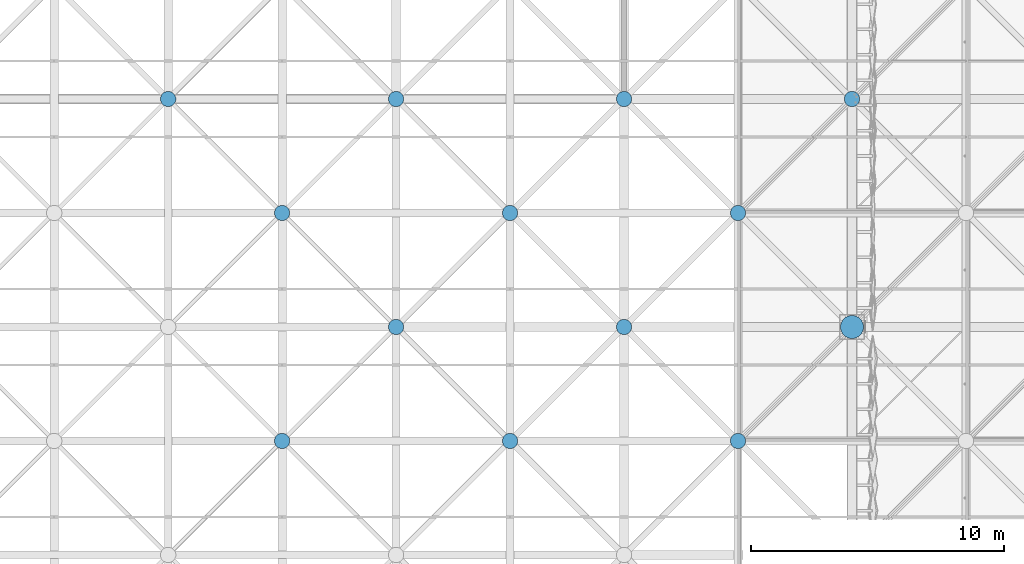
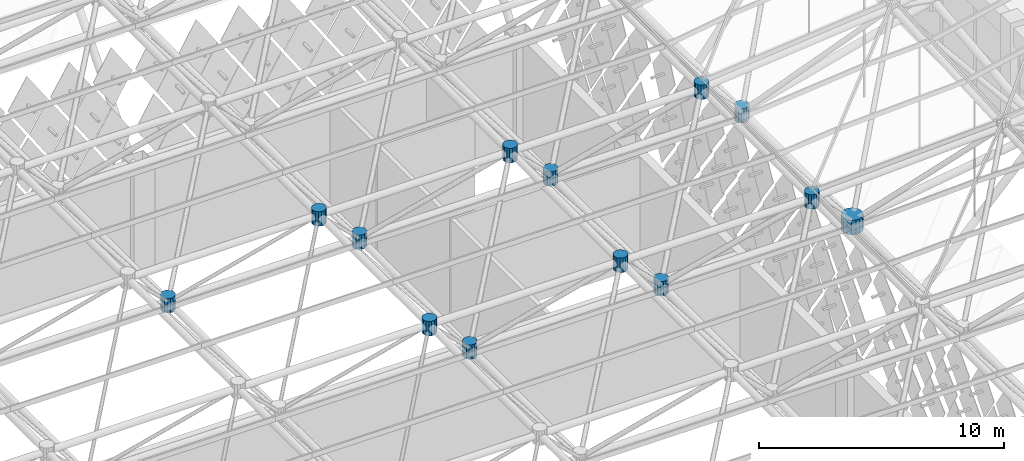
# One storey, part 314 of 437: 13 discrete accessories.
"""IFC4 building model written with IfcOpenShell, lengths in metres."""

from ifc_helpers import new_model, si_unit, direction, frame, origin, place, context, subcontext, project, spatial, polyline, outline, extrude, material, type_object, element, save


model = new_model("IFC4")

# Units and contexts
model_context = context("Model", 3, precision=1e-05, world=origin(), true_north=direction((0.0, 1.0)))
body_context = subcontext(model_context, "Body", "Model", "MODEL_VIEW")
ifc_project = project(units=[si_unit("LENGTHUNIT", "METRE"), si_unit("AREAUNIT", "SQUARE_METRE"), si_unit("VOLUMEUNIT", "CUBIC_METRE"), si_unit("PLANEANGLEUNIT", "RADIAN"), si_unit("MASSUNIT", "GRAM", prefix="KILO")], contexts=[model_context])

# Site, building, storey
site_placement = place(None, origin())
site = spatial("IfcSite", under=ifc_project, at=site_placement, CompositionType="ELEMENT")
building_placement = place(site_placement, origin())
building = spatial("IfcBuilding", under=site, at=building_placement, Name="Opaline Strait Convention Centre", CompositionType="ELEMENT")
storey_placement = place(building_placement, frame((0.0, 0.0, 11.5)))
storey = spatial("IfcBuildingStorey", under=building, at=storey_placement, Name="L02", CompositionType="ELEMENT", Elevation=11.5)

# Discrete accessories
ifc_material = material(Name="Cast steel ZG300-500H (300 MPa)", Category="steel")
discrete_accessory_type_1 = type_object("IfcDiscreteAccessoryType", Name="Space frame bearing node hub D900", PredefinedType="USERDEFINED", material=ifc_material)
discrete_accessory_1_placement = place(storey_placement, frame((0.0, 0.0, 12.139892578125)))
element("IfcDiscreteAccessory", 1, at=discrete_accessory_1_placement, inside=storey, type_object=discrete_accessory_type_1, Name="Bottom node 20/10", ObjectType="NODE HUB", PredefinedType="USERDEFINED", context=body_context, shape_type="SweptSolid", body=[
    extrude(outline(polyline([(261.449951171875, 126.089599609375), (261.381591796875, 126.2548828125), (261.2548828125, 126.381591796875), (261.089599609375, 126.449951171875), (260.910400390625, 126.449951171875), (260.7451171875, 126.381591796875), (260.618408203125, 126.2548828125), (260.550048828125, 126.089599609375), (260.550048828125, 125.910400390625), (260.618408203125, 125.7451171875), (260.7451171875, 125.618408203125), (260.910400390625, 125.550048828125), (261.089599609375, 125.550048828125), (261.2548828125, 125.618408203125), (261.381591796875, 125.7451171875), (261.449951171875, 125.910400390625), (261.449951171875, 126.089599609375)])), origin(), (0.0, 0.0, 1.0), 0.72021484375),
])
discrete_accessory_type_2 = type_object("IfcDiscreteAccessoryType", Name="Space frame node hub D600", PredefinedType="USERDEFINED", material=ifc_material)
discrete_accessory_2_placement = place(storey_placement, frame((0.0, 0.0, 17.611572265625)))
element("IfcDiscreteAccessory", 2, at=discrete_accessory_2_placement, inside=storey, type_object=discrete_accessory_type_2, Name="Top node 18/10", ObjectType="NODE HUB", PredefinedType="USERDEFINED", context=body_context, shape_type="SweptSolid", body=[
    extrude(outline(polyline([(238.800048828125, 121.559814453125), (238.75439453125, 121.669921875), (238.669921875, 121.75439453125), (238.559814453125, 121.800048828125), (238.440185546875, 121.800048828125), (238.330078125, 121.75439453125), (238.24560546875, 121.669921875), (238.199951171875, 121.559814453125), (238.199951171875, 121.440185546875), (238.24560546875, 121.330078125), (238.330078125, 121.24560546875), (238.440185546875, 121.199951171875), (238.559814453125, 121.199951171875), (238.669921875, 121.24560546875), (238.75439453125, 121.330078125), (238.800048828125, 121.440185546875), (238.800048828125, 121.559814453125)])), origin(), (0.0, 0.0, 1.0), 0.719970703125),
])
discrete_accessory_3_placement = place(storey_placement, frame((0.0, 0.0, 17.611572265625)))
element("IfcDiscreteAccessory", 3, at=discrete_accessory_3_placement, inside=storey, type_object=discrete_accessory_type_2, Name="Top node 18/11", ObjectType="NODE HUB", PredefinedType="USERDEFINED", context=body_context, shape_type="SweptSolid", body=[
    extrude(outline(polyline([(238.800048828125, 130.559814453125), (238.75439453125, 130.669921875), (238.669921875, 130.75439453125), (238.559814453125, 130.800048828125), (238.440185546875, 130.800048828125), (238.330078125, 130.75439453125), (238.24560546875, 130.669921875), (238.199951171875, 130.559814453125), (238.199951171875, 130.440185546875), (238.24560546875, 130.330078125), (238.330078125, 130.24560546875), (238.440185546875, 130.199951171875), (238.559814453125, 130.199951171875), (238.669921875, 130.24560546875), (238.75439453125, 130.330078125), (238.800048828125, 130.440185546875), (238.800048828125, 130.559814453125)])), origin(), (0.0, 0.0, 1.0), 0.719970703125),
])
discrete_accessory_4_placement = place(storey_placement, frame((0.0, 0.0, 17.611572265625)))
element("IfcDiscreteAccessory", 4, at=discrete_accessory_4_placement, inside=storey, type_object=discrete_accessory_type_2, Name="Top node 19/10", ObjectType="NODE HUB", PredefinedType="USERDEFINED", context=body_context, shape_type="SweptSolid", body=[
    extrude(outline(polyline([(247.800048828125, 121.559814453125), (247.75439453125, 121.669921875), (247.669921875, 121.75439453125), (247.559814453125, 121.800048828125), (247.440185546875, 121.800048828125), (247.330078125, 121.75439453125), (247.24560546875, 121.669921875), (247.199951171875, 121.559814453125), (247.199951171875, 121.440185546875), (247.24560546875, 121.330078125), (247.330078125, 121.24560546875), (247.440185546875, 121.199951171875), (247.559814453125, 121.199951171875), (247.669921875, 121.24560546875), (247.75439453125, 121.330078125), (247.800048828125, 121.440185546875), (247.800048828125, 121.559814453125)])), origin(), (0.0, 0.0, 1.0), 0.719970703125),
])
discrete_accessory_5_placement = place(storey_placement, frame((0.0, 0.0, 17.611572265625)))
element("IfcDiscreteAccessory", 5, at=discrete_accessory_5_placement, inside=storey, type_object=discrete_accessory_type_2, Name="Top node 19/11", ObjectType="NODE HUB", PredefinedType="USERDEFINED", context=body_context, shape_type="SweptSolid", body=[
    extrude(outline(polyline([(247.800048828125, 130.559814453125), (247.75439453125, 130.669921875), (247.669921875, 130.75439453125), (247.559814453125, 130.800048828125), (247.440185546875, 130.800048828125), (247.330078125, 130.75439453125), (247.24560546875, 130.669921875), (247.199951171875, 130.559814453125), (247.199951171875, 130.440185546875), (247.24560546875, 130.330078125), (247.330078125, 130.24560546875), (247.440185546875, 130.199951171875), (247.559814453125, 130.199951171875), (247.669921875, 130.24560546875), (247.75439453125, 130.330078125), (247.800048828125, 130.440185546875), (247.800048828125, 130.559814453125)])), origin(), (0.0, 0.0, 1.0), 0.719970703125),
])
discrete_accessory_6_placement = place(storey_placement, frame((0.0, 0.0, 17.611572265625)))
element("IfcDiscreteAccessory", 6, at=discrete_accessory_6_placement, inside=storey, type_object=discrete_accessory_type_2, Name="Top node 20/10", ObjectType="NODE HUB", PredefinedType="USERDEFINED", context=body_context, shape_type="SweptSolid", body=[
    extrude(outline(polyline([(256.800048828125, 121.559814453125), (256.75439453125, 121.669921875), (256.669921875, 121.75439453125), (256.559814453125, 121.800048828125), (256.440185546875, 121.800048828125), (256.330078125, 121.75439453125), (256.24560546875, 121.669921875), (256.199951171875, 121.559814453125), (256.199951171875, 121.440185546875), (256.24560546875, 121.330078125), (256.330078125, 121.24560546875), (256.440185546875, 121.199951171875), (256.559814453125, 121.199951171875), (256.669921875, 121.24560546875), (256.75439453125, 121.330078125), (256.800048828125, 121.440185546875), (256.800048828125, 121.559814453125)])), origin(), (0.0, 0.0, 1.0), 0.719970703125),
])
discrete_accessory_7_placement = place(storey_placement, frame((0.0, 0.0, 17.611572265625)))
element("IfcDiscreteAccessory", 7, at=discrete_accessory_7_placement, inside=storey, type_object=discrete_accessory_type_2, Name="Top node 20/11", ObjectType="NODE HUB", PredefinedType="USERDEFINED", context=body_context, shape_type="SweptSolid", body=[
    extrude(outline(polyline([(256.800048828125, 130.559814453125), (256.75439453125, 130.669921875), (256.669921875, 130.75439453125), (256.559814453125, 130.800048828125), (256.440185546875, 130.800048828125), (256.330078125, 130.75439453125), (256.24560546875, 130.669921875), (256.199951171875, 130.559814453125), (256.199951171875, 130.440185546875), (256.24560546875, 130.330078125), (256.330078125, 130.24560546875), (256.440185546875, 130.199951171875), (256.559814453125, 130.199951171875), (256.669921875, 130.24560546875), (256.75439453125, 130.330078125), (256.800048828125, 130.440185546875), (256.800048828125, 130.559814453125)])), origin(), (0.0, 0.0, 1.0), 0.719970703125),
])
discrete_accessory_8_placement = place(storey_placement, frame((0.0, 0.0, 12.139892578125)))
element("IfcDiscreteAccessory", 8, at=discrete_accessory_8_placement, inside=storey, type_object=discrete_accessory_type_2, Name="Bottom node 17/11", ObjectType="NODE HUB", PredefinedType="USERDEFINED", context=body_context, shape_type="SweptSolid", body=[
    extrude(outline(polyline([(234.300048828125, 135.059814453125), (234.25439453125, 135.169921875), (234.169921875, 135.25439453125), (234.059814453125, 135.300048828125), (233.940185546875, 135.300048828125), (233.830078125, 135.25439453125), (233.74560546875, 135.169921875), (233.699951171875, 135.059814453125), (233.699951171875, 134.940185546875), (233.74560546875, 134.830078125), (233.830078125, 134.74560546875), (233.940185546875, 134.699951171875), (234.059814453125, 134.699951171875), (234.169921875, 134.74560546875), (234.25439453125, 134.830078125), (234.300048828125, 134.940185546875), (234.300048828125, 135.059814453125)])), origin(), (0.0, 0.0, 1.0), 0.72021484375),
])
discrete_accessory_9_placement = place(storey_placement, frame((0.0, 0.0, 12.139892578125)))
element("IfcDiscreteAccessory", 9, at=discrete_accessory_9_placement, inside=storey, type_object=discrete_accessory_type_2, Name="Bottom node 18/10", ObjectType="NODE HUB", PredefinedType="USERDEFINED", context=body_context, shape_type="SweptSolid", body=[
    extrude(outline(polyline([(243.300048828125, 126.059814453125), (243.25439453125, 126.169921875), (243.169921875, 126.25439453125), (243.059814453125, 126.300048828125), (242.940185546875, 126.300048828125), (242.830078125, 126.25439453125), (242.74560546875, 126.169921875), (242.699951171875, 126.059814453125), (242.699951171875, 125.940185546875), (242.74560546875, 125.830078125), (242.830078125, 125.74560546875), (242.940185546875, 125.699951171875), (243.059814453125, 125.699951171875), (243.169921875, 125.74560546875), (243.25439453125, 125.830078125), (243.300048828125, 125.940185546875), (243.300048828125, 126.059814453125)])), origin(), (0.0, 0.0, 1.0), 0.72021484375),
])
discrete_accessory_10_placement = place(storey_placement, frame((0.0, 0.0, 12.139892578125)))
element("IfcDiscreteAccessory", 10, at=discrete_accessory_10_placement, inside=storey, type_object=discrete_accessory_type_2, Name="Bottom node 18/11", ObjectType="NODE HUB", PredefinedType="USERDEFINED", context=body_context, shape_type="SweptSolid", body=[
    extrude(outline(polyline([(243.300048828125, 135.059814453125), (243.25439453125, 135.169921875), (243.169921875, 135.25439453125), (243.059814453125, 135.300048828125), (242.940185546875, 135.300048828125), (242.830078125, 135.25439453125), (242.74560546875, 135.169921875), (242.699951171875, 135.059814453125), (242.699951171875, 134.940185546875), (242.74560546875, 134.830078125), (242.830078125, 134.74560546875), (242.940185546875, 134.699951171875), (243.059814453125, 134.699951171875), (243.169921875, 134.74560546875), (243.25439453125, 134.830078125), (243.300048828125, 134.940185546875), (243.300048828125, 135.059814453125)])), origin(), (0.0, 0.0, 1.0), 0.72021484375),
])
discrete_accessory_11_placement = place(storey_placement, frame((0.0, 0.0, 12.139892578125)))
element("IfcDiscreteAccessory", 11, at=discrete_accessory_11_placement, inside=storey, type_object=discrete_accessory_type_2, Name="Bottom node 19/10", ObjectType="NODE HUB", PredefinedType="USERDEFINED", context=body_context, shape_type="SweptSolid", body=[
    extrude(outline(polyline([(252.300048828125, 126.059814453125), (252.25439453125, 126.169921875), (252.169921875, 126.25439453125), (252.059814453125, 126.300048828125), (251.940185546875, 126.300048828125), (251.830078125, 126.25439453125), (251.74560546875, 126.169921875), (251.699951171875, 126.059814453125), (251.699951171875, 125.940185546875), (251.74560546875, 125.830078125), (251.830078125, 125.74560546875), (251.940185546875, 125.699951171875), (252.059814453125, 125.699951171875), (252.169921875, 125.74560546875), (252.25439453125, 125.830078125), (252.300048828125, 125.940185546875), (252.300048828125, 126.059814453125)])), origin(), (0.0, 0.0, 1.0), 0.72021484375),
])
discrete_accessory_12_placement = place(storey_placement, frame((0.0, 0.0, 12.139892578125)))
element("IfcDiscreteAccessory", 12, at=discrete_accessory_12_placement, inside=storey, type_object=discrete_accessory_type_2, Name="Bottom node 19/11", ObjectType="NODE HUB", PredefinedType="USERDEFINED", context=body_context, shape_type="SweptSolid", body=[
    extrude(outline(polyline([(252.300048828125, 135.059814453125), (252.25439453125, 135.169921875), (252.169921875, 135.25439453125), (252.059814453125, 135.300048828125), (251.940185546875, 135.300048828125), (251.830078125, 135.25439453125), (251.74560546875, 135.169921875), (251.699951171875, 135.059814453125), (251.699951171875, 134.940185546875), (251.74560546875, 134.830078125), (251.830078125, 134.74560546875), (251.940185546875, 134.699951171875), (252.059814453125, 134.699951171875), (252.169921875, 134.74560546875), (252.25439453125, 134.830078125), (252.300048828125, 134.940185546875), (252.300048828125, 135.059814453125)])), origin(), (0.0, 0.0, 1.0), 0.72021484375),
])
discrete_accessory_13_placement = place(storey_placement, frame((0.0, 0.0, 12.139892578125)))
element("IfcDiscreteAccessory", 13, at=discrete_accessory_13_placement, inside=storey, type_object=discrete_accessory_type_2, Name="Bottom node 20/11", ObjectType="NODE HUB", PredefinedType="USERDEFINED", context=body_context, shape_type="SweptSolid", body=[
    extrude(outline(polyline([(261.300048828125, 135.059814453125), (261.25439453125, 135.169921875), (261.169921875, 135.25439453125), (261.059814453125, 135.300048828125), (260.940185546875, 135.300048828125), (260.830078125, 135.25439453125), (260.74560546875, 135.169921875), (260.699951171875, 135.059814453125), (260.699951171875, 134.940185546875), (260.74560546875, 134.830078125), (260.830078125, 134.74560546875), (260.940185546875, 134.699951171875), (261.059814453125, 134.699951171875), (261.169921875, 134.74560546875), (261.25439453125, 134.830078125), (261.300048828125, 134.940185546875), (261.300048828125, 135.059814453125)])), origin(), (0.0, 0.0, 1.0), 0.72021484375),
])

save(model, "model.ifc")
